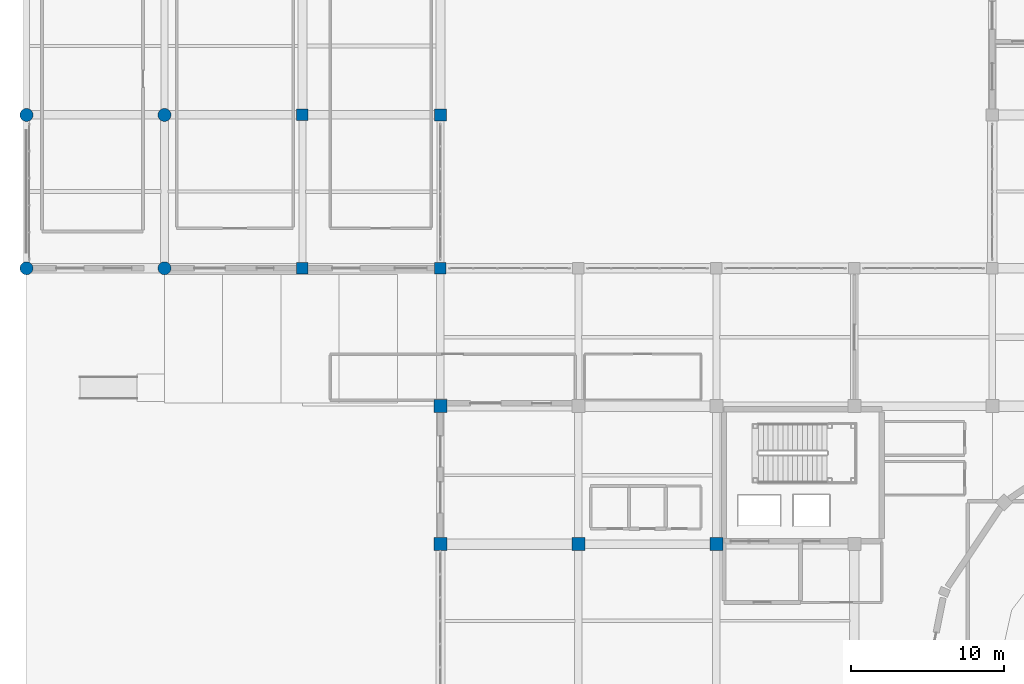
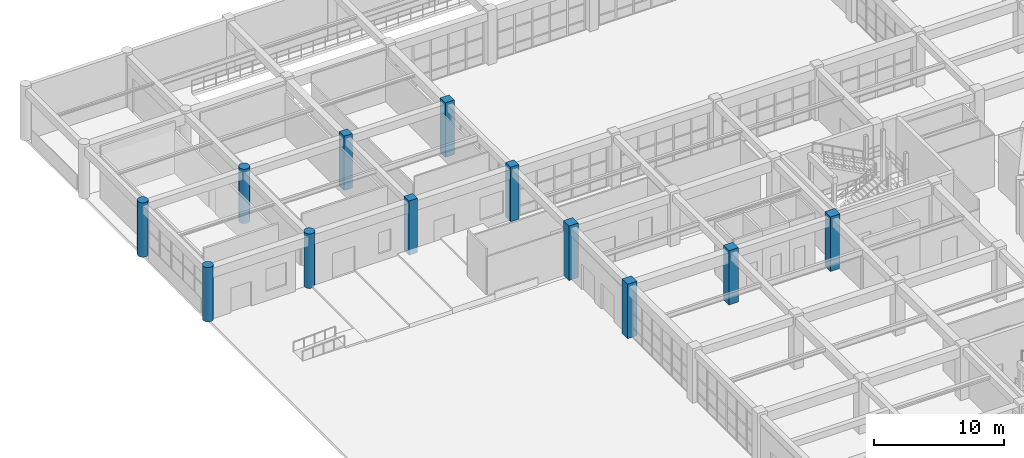
# One storey, part 8 of 128: 12 columns.
"""IFC4 building model written with IfcOpenShell, lengths in metres."""

from ifc_helpers import new_model, si_unit, direction, frame, origin, origin_2d, place, context, subcontext, project, spatial, rectangle, circle, extrude, material, material_profile, profile_set, type_object, element, save


model = new_model("IFC4")

# Units and contexts
model_context = context("Model", 3, precision=1e-05, world=origin(), true_north=direction((0.0, 1.0)))
body_context = subcontext(model_context, "Body", "Model", "MODEL_VIEW")
ifc_project = project(units=[si_unit("LENGTHUNIT", "METRE"), si_unit("AREAUNIT", "SQUARE_METRE"), si_unit("VOLUMEUNIT", "CUBIC_METRE"), si_unit("PLANEANGLEUNIT", "RADIAN"), si_unit("MASSUNIT", "GRAM", prefix="KILO")], contexts=[model_context])

# Site, building, storey
site_placement = place(None, origin())
site = spatial("IfcSite", under=ifc_project, at=site_placement, CompositionType="ELEMENT")
building_placement = place(site_placement, origin())
building = spatial("IfcBuilding", under=site, at=building_placement, Name="Miravela Opera House", CompositionType="ELEMENT")
storey_placement = place(building_placement, origin())
storey = spatial("IfcBuildingStorey", under=building, at=storey_placement, Name="L00", CompositionType="ELEMENT", Elevation=0.0)

# Columns
ifc_material_1 = material(Name="Concrete C35/45", Category="concrete")
ifc_material_profile_1 = material_profile(ifc_material_1, rectangle(XDim=0.75, YDim=0.75, at=origin_2d()), Name="RC-COL-750X750")
ifc_profile_set_1 = profile_set([ifc_material_profile_1])
column_type_1 = type_object("IfcColumnType", Name="STR-COL-RC750", PredefinedType="COLUMN", material=ifc_profile_set_1)
for number, where, z_axis, x_axis, name in (
    (1, (18.0, 84.0, 0.0), (0.0, 0.0, 1.0), (1.0, 0.0, 0.0), "Column C-3J (L00)"),
    (2, (18.0, 94.0, 0.0), (0.0, 0.0, 1.0), (1.0, 0.0, 0.0), "Column C-3K (L00)"),
    (3, (27.0, 84.0, 0.0), (0.0, 0.0, 1.0), (1.0, 0.0, 0.0), "Column C-4J (L00)"),
):
    element("IfcColumn", number, at=place(storey_placement, frame(where, z_axis=z_axis, x_axis=x_axis)), inside=storey, type_object=column_type_1, Name=name, PredefinedType="COLUMN", context=body_context, shape_type="SweptSolid", body=[
        extrude(rectangle(XDim=0.75, YDim=0.75, at=origin_2d()), origin(), (0.0, 0.0, 1.0), 5.10009765625),
    ])
ifc_material_2 = material(Name="Concrete C40/50", Category="concrete")
ifc_material_profile_2 = material_profile(ifc_material_2, rectangle(XDim=0.800048828125, YDim=0.800048828125, at=origin_2d()), Name="RC-COL-800X800")
ifc_profile_set_2 = profile_set([ifc_material_profile_2])
column_type_2 = type_object("IfcColumnType", Name="STR-COL-RC800", PredefinedType="COLUMN", material=ifc_profile_set_2)
column_placement = place(storey_placement, frame((27.0, 94.0, 0.0), z_axis=(0.0, 0.0, 1.0), x_axis=(1.0, 0.0, 0.0)))
element("IfcColumn", 4, at=column_placement, inside=storey, type_object=column_type_2, Name="Column C-4K (L00)", PredefinedType="COLUMN", context=body_context, shape_type="SweptSolid", body=[
    extrude(rectangle(XDim=0.800048828125, YDim=0.800048828125, at=origin_2d()), origin(), (0.0, 0.0, 1.0), 5.10009765625),
])
ifc_material_profile_3 = material_profile(ifc_material_2, rectangle(XDim=0.85009765625, YDim=0.85009765625, at=origin_2d()), Name="RC-COL-850X850")
ifc_profile_set_3 = profile_set([ifc_material_profile_3])
column_type_3 = type_object("IfcColumnType", Name="STR-COL-RC850", PredefinedType="COLUMN", material=ifc_profile_set_3)
for number, where, z_axis, x_axis, name in (
    (5, (27.0, 66.0, 0.0), (0.0, 0.0, 1.0), (1.0, 0.0, 0.0), "Column C-4H (L00)"),
    (6, (27.0, 75.0, 0.0), (0.0, 0.0, 1.0), (1.0, 0.0, 0.0), "Column C-4I (L00)"),
    (7, (36.0, 66.0, 0.0), (0.0, 0.0, 1.0), (1.0, 0.0, 0.0), "Column C-5H (L00)"),
    (8, (45.0, 66.0, 0.0), (0.0, 0.0, 1.0), (1.0, 0.0, 0.0), "Column C-6H (L00)"),
):
    element("IfcColumn", number, at=place(storey_placement, frame(where, z_axis=z_axis, x_axis=x_axis)), inside=storey, type_object=column_type_3, Name=name, PredefinedType="COLUMN", context=body_context, shape_type="SweptSolid", body=[
        extrude(rectangle(XDim=0.85009765625, YDim=0.85009765625, at=origin_2d()), origin(), (0.0, 0.0, 1.0), 5.10009765625),
    ])
ifc_material_profile_4 = material_profile(ifc_material_2, circle(Radius=0.425048828125, at=origin_2d()), Name="RC-COL-D850")
ifc_profile_set_4 = profile_set([ifc_material_profile_4])
column_type_4 = type_object("IfcColumnType", Name="STR-COL-RCD850", PredefinedType="COLUMN", material=ifc_profile_set_4)
for number, where, z_axis, x_axis, name in (
    (9, (0.0, 84.0, 0.0), (0.0, 0.0, 1.0), (1.0, 0.0, 0.0), "Column C-1J (L00)"),
    (10, (0.0, 94.0, 0.0), (0.0, 0.0, 1.0), (1.0, 0.0, 0.0), "Column C-1K (L00)"),
    (11, (9.0, 84.0, 0.0), (0.0, 0.0, 1.0), (1.0, 0.0, 0.0), "Column C-2J (L00)"),
    (12, (9.0, 94.0, 0.0), (0.0, 0.0, 1.0), (1.0, 0.0, 0.0), "Column C-2K (L00)"),
):
    element("IfcColumn", number, at=place(storey_placement, frame(where, z_axis=z_axis, x_axis=x_axis)), inside=storey, type_object=column_type_4, Name=name, PredefinedType="COLUMN", context=body_context, shape_type="SweptSolid", body=[
        extrude(circle(Radius=0.425048828125, at=origin_2d()), origin(), (0.0, 0.0, 1.0), 5.10009765625),
    ])

save(model, "model.ifc")
